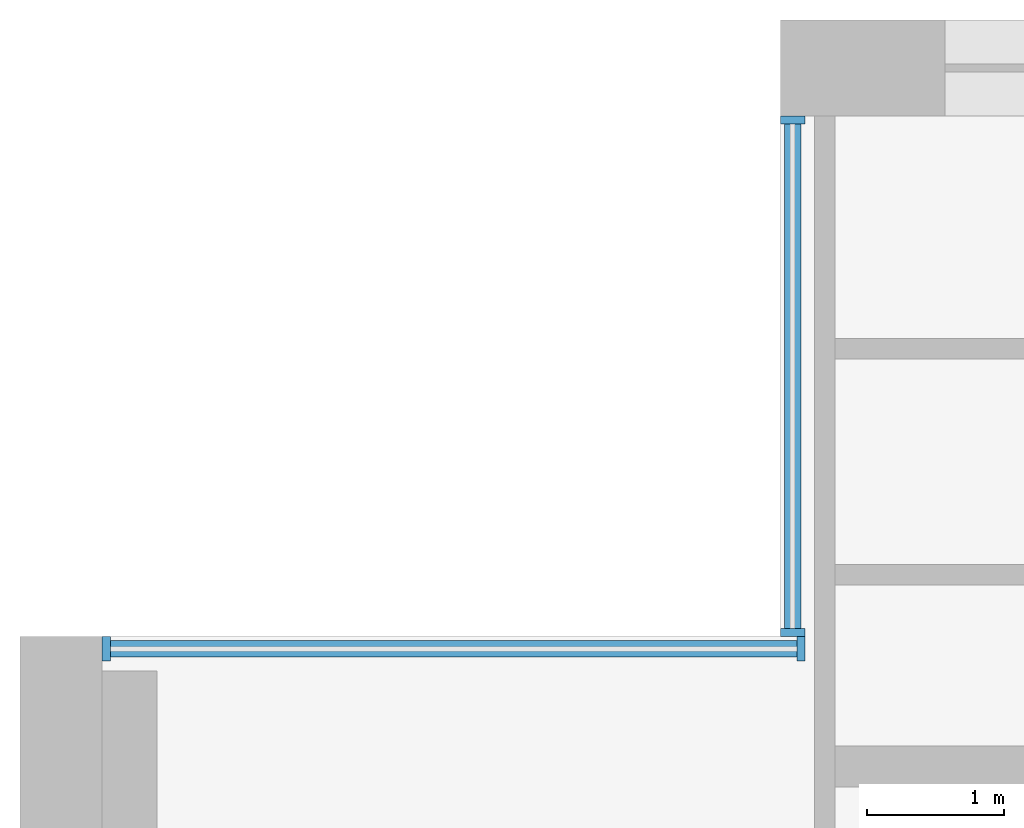
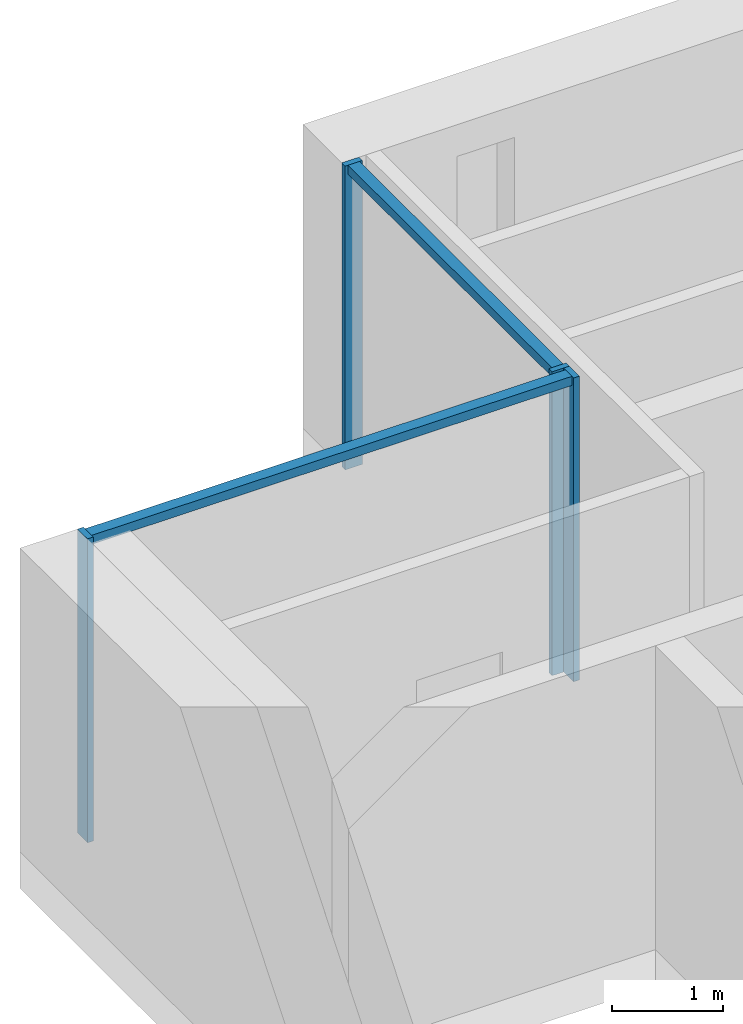
# One storey, part 4 of 17: 6 members, 2 elements without a shape of their own.
"""IFC4 building model written with IfcOpenShell, lengths in metres."""

from ifc_helpers import new_model, si_unit, direction, frame, origin, origin_2d, place, context, subcontext, project, spatial, rectangle, extrude, material, material_profile, profile_set, type_object, element, aggregate, save


model = new_model("IFC4")

# Units and contexts
model_context = context("Model", 3, precision=1e-05, world=origin(), true_north=direction((0.0, 1.0)))
body_context = subcontext(model_context, "Body", "Model", "MODEL_VIEW")
ifc_project = project(units=[si_unit("LENGTHUNIT", "METRE"), si_unit("AREAUNIT", "SQUARE_METRE"), si_unit("VOLUMEUNIT", "CUBIC_METRE"), si_unit("PLANEANGLEUNIT", "RADIAN"), si_unit("MASSUNIT", "GRAM", prefix="KILO")], contexts=[model_context])

# Site, building, storey
site_placement = place(None, origin())
site = spatial("IfcSite", under=ifc_project, at=site_placement, CompositionType="ELEMENT")
building_placement = place(site_placement, origin())
building = spatial("IfcBuilding", under=site, at=building_placement, Name="Calvaro Tower", CompositionType="ELEMENT")
storey_placement = place(building_placement, frame((0.0, 0.0, 174.25)))
storey = spatial("IfcBuildingStorey", under=building, at=storey_placement, Name="L43", CompositionType="ELEMENT", Elevation=174.25)

# Curtain wall, members
ifc_material_1 = material(Name="Anodised aluminium", Category="aluminium")
curtain_wall_type = type_object("IfcCurtainWallType", Name="Office curtain wall, upper zone", PredefinedType="NOTDEFINED", material=ifc_material_1)
curtain_wall_1_placement = place(storey_placement, origin())
curtain_wall_1 = element("IfcCurtainWall", 1, at=curtain_wall_1_placement, inside=storey, type_object=curtain_wall_type, Name="CW3 corner curtain wall", PredefinedType="NOTDEFINED")
ifc_material_2 = material(Name="Anodised aluminium", Category="aluminium")
ifc_material_profile_1 = material_profile(ifc_material_2, rectangle(XDim=0.179931640625, YDim=0.06005859375, at=origin_2d()), Name="Mullion S3 60 x 180")
ifc_profile_set_1 = profile_set([ifc_material_profile_1], Name="Anodised aluminium")
member_type_1 = type_object("IfcMemberType", Name="Mullion S3 60 x 180", PredefinedType="MULLION", material=ifc_profile_set_1)
member_1_placement = place(storey_placement, frame((11.639892578125, 41.530029296875, 0.0), z_axis=(0.0, 0.0, 1.0), x_axis=(-1.0, 0.0, 0.0)))
member_1 = element("IfcMember", 2, at=member_1_placement, type_object=member_type_1, Name="CW3 mullion 1", PredefinedType="MULLION", context=body_context, shape_type="SweptSolid", body=[
    extrude(rectangle(XDim=0.179931640625, YDim=0.06005859375, at=origin_2d()), origin(), (0.0, 0.0, 1.0), 3.35009765625),
])
member_2_placement = place(storey_placement, frame((11.639892578125, 45.27001953125, 0.0), z_axis=(0.0, 0.0, 1.0), x_axis=(-1.0, 0.0, 0.0)))
member_2 = element("IfcMember", 3, at=member_2_placement, type_object=member_type_1, Name="CW3 mullion 2", PredefinedType="MULLION", context=body_context, shape_type="SweptSolid", body=[
    extrude(rectangle(XDim=0.179931640625, YDim=0.06005859375, at=origin_2d()), origin(), (0.0, 0.0, 1.0), 3.35009765625),
])

curtain_wall_2_placement = place(storey_placement, origin())
curtain_wall_2 = element("IfcCurtainWall", 4, at=curtain_wall_2_placement, inside=storey, type_object=curtain_wall_type, Name="CW3 corner curtain wall", PredefinedType="NOTDEFINED")
member_3_placement = place(storey_placement, frame((6.6298828125, 41.409912109375, 0.0), z_axis=(0.0, 0.0, 1.0), x_axis=(0.0, 1.0, 0.0)))
member_3 = element("IfcMember", 5, at=member_3_placement, type_object=member_type_1, Name="CW3 mullion 1", PredefinedType="MULLION", context=body_context, shape_type="SweptSolid", body=[
    extrude(rectangle(XDim=0.179931640625, YDim=0.06005859375, at=origin_2d()), origin(), (0.0, 0.0, 1.0), 3.35009765625),
])
member_4_placement = place(storey_placement, frame((11.699951171875, 41.409912109375, 0.0), z_axis=(0.0, 0.0, 1.0), x_axis=(0.0, 1.0, 0.0)))
member_4 = element("IfcMember", 6, at=member_4_placement, type_object=member_type_1, Name="CW3 mullion 2", PredefinedType="MULLION", context=body_context, shape_type="SweptSolid", body=[
    extrude(rectangle(XDim=0.179931640625, YDim=0.06005859375, at=origin_2d()), origin(), (0.0, 0.0, 1.0), 3.35009765625),
])

# Member
ifc_material_3 = material(Name="Anodised aluminium", Category="aluminium")
ifc_material_profile_2 = material_profile(ifc_material_3, rectangle(XDim=0.1201171875, YDim=0.10009765625, at=origin_2d()), Name="Transom S3 100 x 120")
ifc_profile_set_2 = profile_set([ifc_material_profile_2], Name="Anodised aluminium")
member_type_2 = type_object("IfcMemberType", Name="Transom S3 100 x 120", PredefinedType="USERDEFINED", material=ifc_profile_set_2)
member_5_placement = place(storey_placement, frame((11.639892578125, 41.56005859375, 3.300048828125), z_axis=(0.0, 1.0, 0.0), x_axis=(-1.0, 0.0, 0.0)))
member_5 = element("IfcMember", 7, at=member_5_placement, type_object=member_type_2, Name="CW3 transom 1.1", ObjectType="TRANSOM", PredefinedType="USERDEFINED", context=body_context, shape_type="SweptSolid", body=[
    extrude(rectangle(XDim=0.1201171875, YDim=0.10009765625, at=origin_2d()), origin(), (0.0, 0.0, 1.0), 3.679931640625),
])

aggregate(curtain_wall_1, [member_1, member_2, member_5])

member_6_placement = place(storey_placement, frame((6.659912109375, 41.409912109375, 3.300048828125), z_axis=(1.0, 0.0, 0.0), x_axis=(0.0, 1.0, 0.0)))
member_6 = element("IfcMember", 8, at=member_6_placement, type_object=member_type_2, Name="CW3 transom 1.1", ObjectType="TRANSOM", PredefinedType="USERDEFINED", context=body_context, shape_type="SweptSolid", body=[
    extrude(rectangle(XDim=0.1201171875, YDim=0.10009765625, at=origin_2d()), origin(), (0.0, 0.0, 1.0), 5.010009765625),
])

aggregate(curtain_wall_2, [member_3, member_4, member_6])

save(model, "model.ifc")
